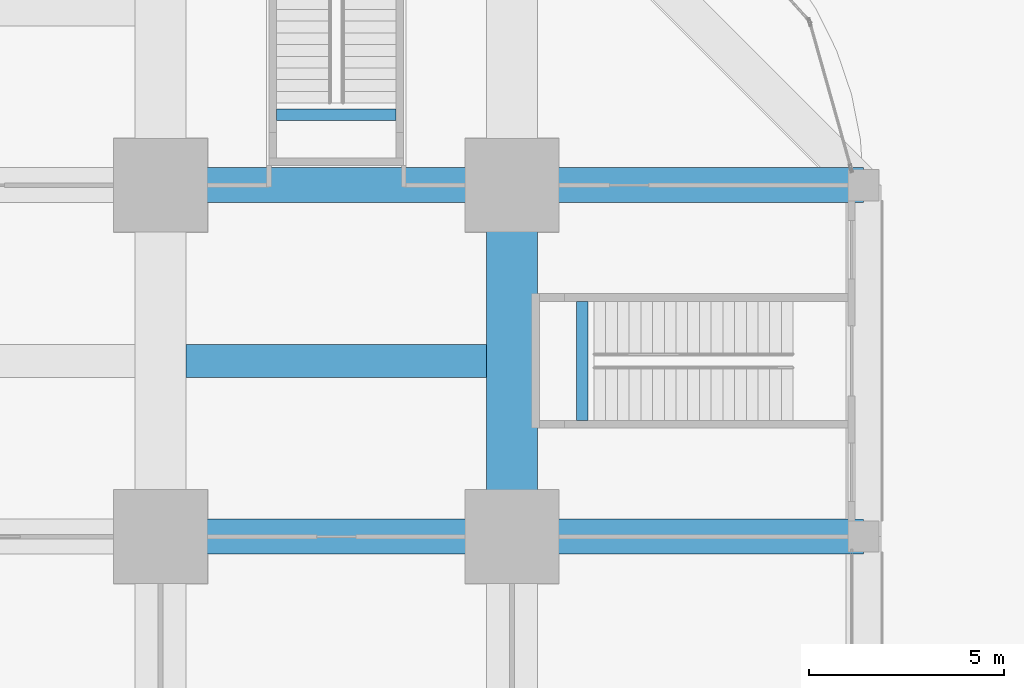
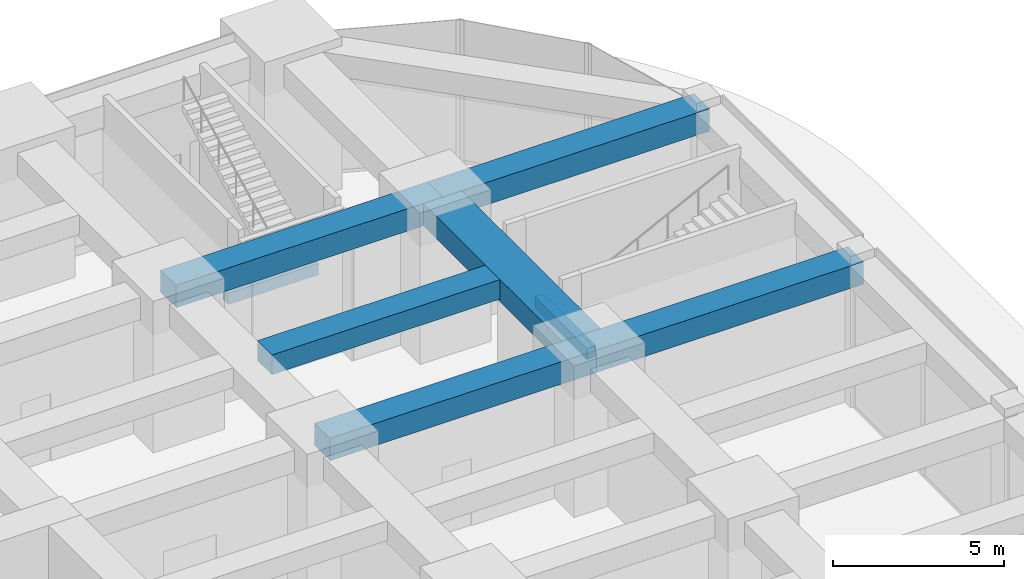
# One storey, part 35 of 56: 8 beams.
"""IFC4 building model written with IfcOpenShell, lengths in metres."""

from ifc_helpers import new_model, si_unit, direction, frame, origin, origin_2d, place, context, subcontext, project, spatial, rectangle, extrude, material, material_profile, profile_set, type_object, element, save


model = new_model("IFC4")

# Units and contexts
model_context = context("Model", 3, precision=1e-05, world=origin(), true_north=direction((0.0, 1.0)))
body_context = subcontext(model_context, "Body", "Model", "MODEL_VIEW")
ifc_project = project(units=[si_unit("LENGTHUNIT", "METRE"), si_unit("AREAUNIT", "SQUARE_METRE"), si_unit("VOLUMEUNIT", "CUBIC_METRE"), si_unit("PLANEANGLEUNIT", "RADIAN"), si_unit("MASSUNIT", "GRAM", prefix="KILO")], contexts=[model_context])

# Site, building, storey
site_placement = place(None, origin())
site = spatial("IfcSite", under=ifc_project, at=site_placement, CompositionType="ELEMENT")
building_placement = place(site_placement, origin())
building = spatial("IfcBuilding", under=site, at=building_placement, Name="Zorevar Civic Tower", CompositionType="ELEMENT")
storey_placement = place(building_placement, origin())
storey = spatial("IfcBuildingStorey", under=building, at=storey_placement, Name="L00", CompositionType="ELEMENT", Elevation=0.0)

# Beams
ifc_material_1 = material(Name="Concrete C50/60", Category="concrete")
ifc_material_profile_1 = material_profile(ifc_material_1, rectangle(XDim=1.300048828125, YDim=0.800048828125, at=origin_2d()), Name="RC 1300x800")
ifc_profile_set_1 = profile_set([ifc_material_profile_1], Name="Concrete C50/60")
beam_type_1 = type_object("IfcBeamType", Name="Beam RC 1300x800", PredefinedType="BEAM", material=ifc_profile_set_1)
beam_1_placement = place(storey_placement, frame((63.0, 36.0, 4.699951171875), z_axis=(0.0, 1.0, 0.0), x_axis=(-1.0, 0.0, 0.0)))
element("IfcBeam", 1, at=beam_1_placement, inside=storey, type_object=beam_type_1, Name="Girder L01", PredefinedType="BEAM", context=body_context, shape_type="SweptSolid", body=[
    extrude(rectangle(XDim=1.300048828125, YDim=0.800048828125, at=origin_2d()), origin(), (0.0, 0.0, 1.0), 9.0),
])
ifc_material_2 = material(Name="Concrete C50/60", Category="concrete")
ifc_material_profile_2 = material_profile(ifc_material_2, rectangle(XDim=0.85009765625, YDim=0.699951171875, at=origin_2d()), Name="RC 850x700")
ifc_profile_set_2 = profile_set([ifc_material_profile_2], Name="Concrete C50/60")
beam_type_2 = type_object("IfcBeamType", Name="Beam RC 850x700", PredefinedType="BEAM", material=ifc_profile_set_2)
beam_2_placement = place(storey_placement, frame((54.64990234375, 40.5, 4.75), z_axis=(1.0, 0.0, 0.0), x_axis=(0.0, 1.0, 0.0)))
element("IfcBeam", 2, at=beam_2_placement, inside=storey, type_object=beam_type_2, Name="Secondary beam L01", PredefinedType="BEAM", context=body_context, shape_type="SweptSolid", body=[
    extrude(rectangle(XDim=0.85009765625, YDim=0.699951171875, at=origin_2d()), origin(), (0.0, 0.0, 1.0), 7.7001953125),
])
ifc_material_3 = material(Name="Concrete C50/60", Category="concrete")
ifc_material_profile_3 = material_profile(ifc_material_3, rectangle(XDim=0.89990234375, YDim=0.800048828125, at=origin_2d()), Name="RC 900x800")
ifc_profile_set_3 = profile_set([ifc_material_profile_3], Name="Concrete C50/60")
beam_type_3 = type_object("IfcBeamType", Name="Beam RC 900x800", PredefinedType="BEAM", material=ifc_profile_set_3)
for number, where, z_axis, x_axis, name in (
    (3, (54.0, 36.0, 4.699951171875), (1.0, 0.0, 0.0), (0.0, 1.0, 0.0), "Girder L01"),
    (4, (63.0, 36.0, 4.699951171875), (1.0, 0.0, 0.0), (0.0, 1.0, 0.0), "Girder L01"),
    (5, (54.0, 45.0, 4.699951171875), (1.0, 0.0, 0.0), (0.0, 1.0, 0.0), "Girder L01"),
    (6, (63.0, 45.0, 4.699951171875), (1.0, 0.0, 0.0), (0.0, 1.0, 0.0), "Girder L01"),
):
    element("IfcBeam", number, at=place(storey_placement, frame(where, z_axis=z_axis, x_axis=x_axis)), inside=storey, type_object=beam_type_3, Name=name, PredefinedType="BEAM", context=body_context, shape_type="SweptSolid", body=[
        extrude(rectangle(XDim=0.89990234375, YDim=0.800048828125, at=origin_2d()), origin(), (0.0, 0.0, 1.0), 9.0),
    ])
ifc_material_4 = material(Name="Concrete C30/37", Category="concrete")
ifc_material_profile_4 = material_profile(ifc_material_4, rectangle(XDim=0.300048828125, YDim=0.39990234375, at=origin_2d()), Name="RC 300x400")
ifc_profile_set_4 = profile_set([ifc_material_profile_4], Name="Concrete C30/37")
beam_type_4 = type_object("IfcBeamType", Name="Landing beam RC 300x400", PredefinedType="BEAM", material=ifc_profile_set_4)
for number, where, z_axis, x_axis, name in (
    (7, (64.800048828125, 42.02490234375, 2.300048828125), (0.0, -1.0, 0.0), (1.0, 0.0, 0.0), "Landing beam PS2 L00"),
    (8, (56.97509765625, 46.800048828125, 2.300048828125), (1.0, 0.0, 0.0), (0.0, 1.0, 0.0), "Landing beam PS3 L00"),
):
    element("IfcBeam", number, at=place(storey_placement, frame(where, z_axis=z_axis, x_axis=x_axis)), inside=storey, type_object=beam_type_4, Name=name, PredefinedType="BEAM", context=body_context, shape_type="SweptSolid", body=[
        extrude(rectangle(XDim=0.300048828125, YDim=0.39990234375, at=origin_2d()), origin(), (0.0, 0.0, 1.0), 3.0498046875),
    ])

save(model, "model.ifc")
